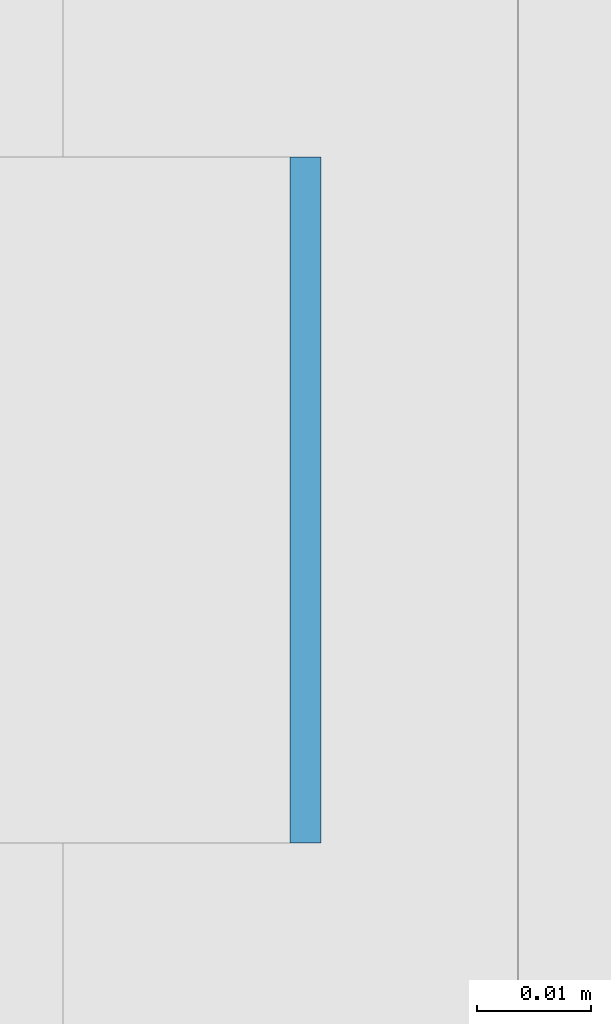
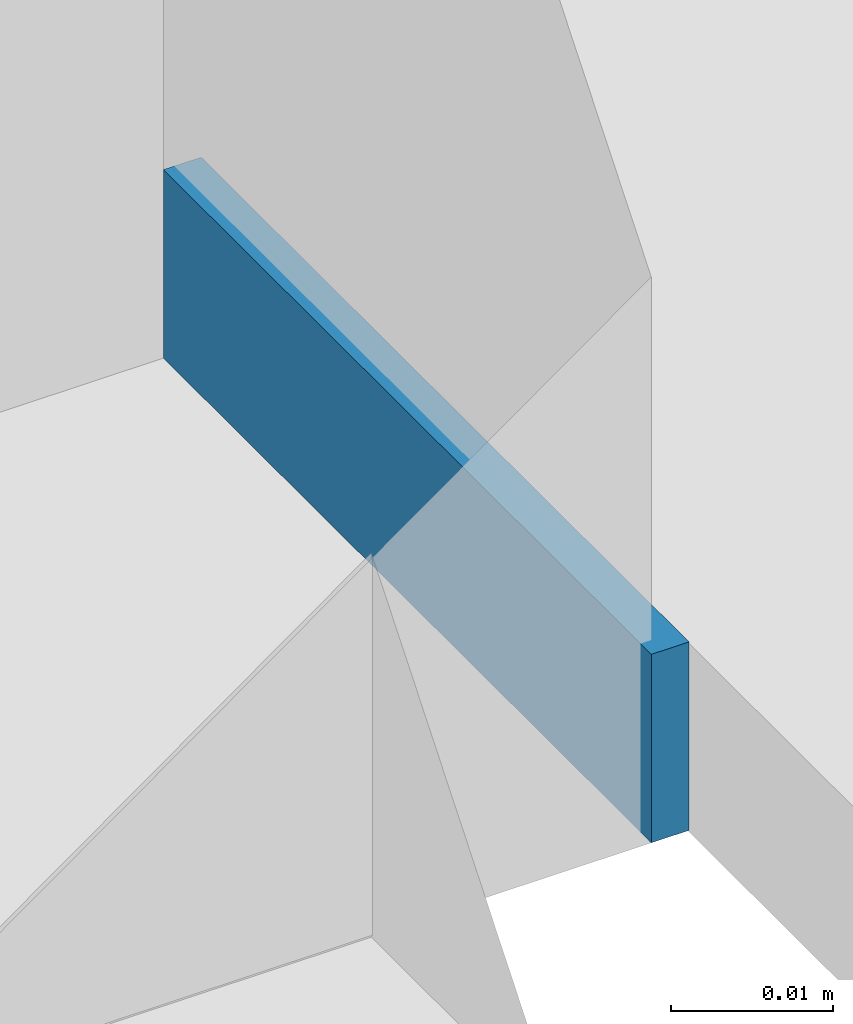
# One storey, part 340 of 646: 1 discrete accessory.
"""IFC4 building model written with IfcOpenShell, lengths in metres."""

from ifc_helpers import new_model, si_unit, direction, frame, origin, origin_2d, place, context, subcontext, project, spatial, rectangle, extrude, material, type_object, element, save


model = new_model("IFC4")

# Units and contexts
model_context = context("Model", 3, precision=1e-05, world=origin(), true_north=direction((0.0, 1.0)))
body_context = subcontext(model_context, "Body", "Model", "MODEL_VIEW")
ifc_project = project(units=[si_unit("LENGTHUNIT", "METRE"), si_unit("AREAUNIT", "SQUARE_METRE"), si_unit("VOLUMEUNIT", "CUBIC_METRE"), si_unit("PLANEANGLEUNIT", "RADIAN"), si_unit("MASSUNIT", "GRAM", prefix="KILO")], contexts=[model_context])

# Site, building, storey
site_placement = place(None, origin())
site = spatial("IfcSite", under=ifc_project, at=site_placement, CompositionType="ELEMENT")
building_placement = place(site_placement, origin())
building = spatial("IfcBuilding", under=site, at=building_placement, Name="Silverbay Arena", CompositionType="ELEMENT")
storey_placement = place(building_placement, frame((0.0, 0.0, 33.5)))
storey = spatial("IfcBuildingStorey", under=building, at=storey_placement, Name="L05", CompositionType="ELEMENT", Elevation=33.5)

# Discrete accessory
ifc_material = material(Name="Steel S355", Category="steel")
discrete_accessory_type = type_object("IfcDiscreteAccessoryType", Name="Steel bracket plate", PredefinedType="BRACKET", material=ifc_material)
discrete_accessory_placement = place(storey_placement, frame((53.871337890625, 84.857177734375, 4.0), z_axis=(0.0, 0.0, 1.0), x_axis=(1.0, 0.0, 0.0)))
element("IfcDiscreteAccessory", 1, at=discrete_accessory_placement, inside=storey, type_object=discrete_accessory_type, Name="Curtain wall packing plate", PredefinedType="BRACKET", context=body_context, shape_type="SweptSolid", body=[
    extrude(rectangle(XDim=0.002685546875, YDim=0.06005859375, at=origin_2d()), origin(), (0.0, 0.0, 1.0), 0.01416015625),
])

save(model, "model.ifc")
